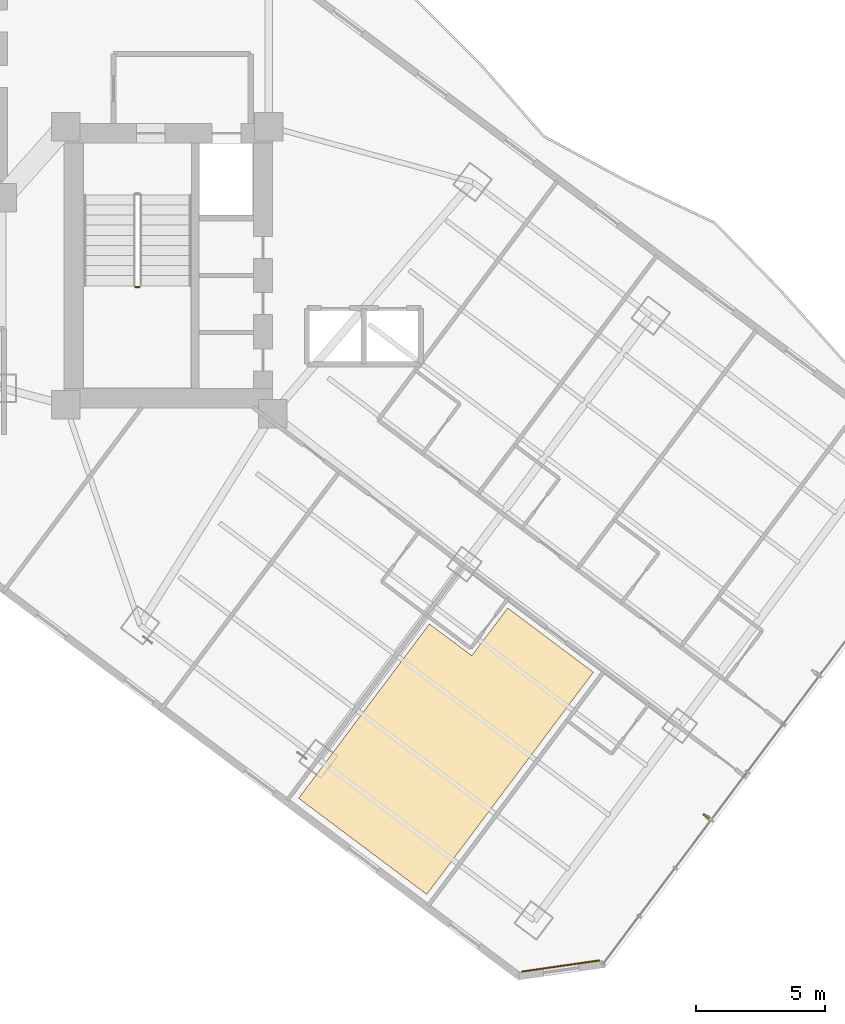
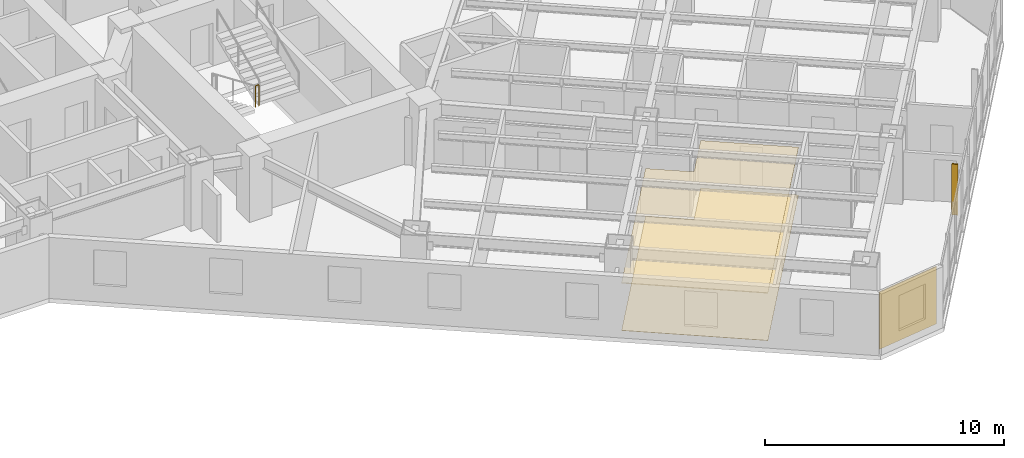
# One storey, part 32 of 37: 3 coverings, 1 railing, 1 shading device.
"""IFC4 building model written with IfcOpenShell, lengths in metres."""

from ifc_helpers import new_model, si_unit, direction, frame, origin, origin_2d, place, context, subcontext, project, spatial, polyline, rectangle, circle, outline, extrude, material, layer, layer_set, type_object, element, save


model = new_model("IFC4")

# Units and contexts
model_context = context("Model", 3, precision=1e-05, world=origin(), true_north=direction((0.0, 1.0)))
body_context = subcontext(model_context, "Body", "Model", "MODEL_VIEW")
ifc_project = project(units=[si_unit("LENGTHUNIT", "METRE"), si_unit("AREAUNIT", "SQUARE_METRE"), si_unit("VOLUMEUNIT", "CUBIC_METRE"), si_unit("PLANEANGLEUNIT", "RADIAN"), si_unit("MASSUNIT", "GRAM", prefix="KILO")], contexts=[model_context])

# Site, building, storey
site_placement = place(None, origin())
site = spatial("IfcSite", under=ifc_project, at=site_placement, CompositionType="ELEMENT")
building_placement = place(site_placement, origin())
building = spatial("IfcBuilding", under=site, at=building_placement, Name="Hatsunagi Terrace Concourse", CompositionType="ELEMENT")
storey_placement = place(building_placement, frame((0.0, 0.0, 50.0)))
storey = spatial("IfcBuildingStorey", under=building, at=storey_placement, Name="L12", CompositionType="ELEMENT", Elevation=50.0)

# Covering
ifc_material_1 = material(Name="Hardwood timber", Category="wood")
ifc_layer_1 = layer(ifc_material_1, 0.014892578125)
ifc_layer_set_1 = layer_set([ifc_layer_1], Name="HardwoodTimberFlooring_15")
covering_type_1 = type_object("IfcCoveringType", Name="HardwoodTimberFlooring_15", PredefinedType="FLOORING", material=ifc_layer_set_1)
covering_1_placement = place(storey_placement, origin())
element("IfcCovering", 1, at=covering_1_placement, inside=storey, type_object=covering_type_1, Name="Finished Flooring L12-1", PredefinedType="FLOORING", context=body_context, shape_type="SweptSolid", body=[
    extrude(outline(polyline([(49.75, 5.64990234375), (56.181884765625, 14.22607421875), (52.8759765625, 16.705078125), (51.491943359375, 14.862060546875), (49.85302734375, 16.087890625), (44.805908203125, 9.35791015625), (49.75, 5.64990234375)])), origin(), (0.0, 0.0, 1.0), 0.014892578125),
])

# Railing
ifc_material_2 = material(Name="Stainless steel", Category="steel")
ifc_layer_2 = layer(ifc_material_2, 0.06005859375)
ifc_layer_set_2 = layer_set([ifc_layer_2], Name="StairWellGuard_Tower2000")
railing_type = type_object("IfcRailingType", Name="StairWellGuard_Tower2000", PredefinedType="BALUSTRADE", material=ifc_layer_set_2)
railing_placement = place(storey_placement, frame((38.5, 29.10009765625, 1.675048828125)))
element("IfcRailing", 2, at=railing_placement, inside=storey, type_object=railing_type, Name="L12 ST-B stair guard 2", PredefinedType="BALUSTRADE", context=body_context, shape_type="SweptSolid", body=[
    extrude(circle(Radius=0.02392578125, at=origin_2d()), frame((0.0, 0.0, 1.09619140625), z_axis=(1.0, 0.0, 0.0), x_axis=(0.0, 1.0, 0.0)), (0.0, 0.0, 1.0), 0.14990234375),
    extrude(circle(Radius=0.02099609375, at=origin_2d()), origin(), (0.0, 0.0, 1.0), 1.072021484375),
    extrude(circle(Radius=0.02099609375, at=origin_2d()), frame((0.14990234375, 0.0, 0.0)), (0.0, 0.0, 1.0), 1.072021484375),
])

# Shading device
ifc_material_3 = material(Name="Extruded Unglazed Terracotta Baguette", Category="masonry")
shading_device_type = type_object("IfcShadingDeviceType", Name="TerracottaFinScreen_260x70", PredefinedType="USERDEFINED", material=ifc_material_3)
shading_device_placement = place(storey_placement, frame((60.5400390625, 8.6689453125, 0.849853515625), z_axis=(0.0, 0.0, 1.0), x_axis=(-0.599969314634, -0.800023013105, 0.0)))
element("IfcShadingDevice", 3, at=shading_device_placement, inside=storey, type_object=shading_device_type, Name="Terracotta Baguette Fin Screen SCR-01", ObjectType="SUNSHADE", PredefinedType="USERDEFINED", context=body_context, shape_type="SweptSolid", body=[
    extrude(rectangle(XDim=0.070068359375, YDim=0.260009765625, at=origin_2d()), origin(), (0.0, 0.0, 1.0), 2.60009765625),
])

# Coverings
ifc_material_4 = material(Name="Unglazed Warm Terracotta Rainscreen Tile", Category="masonry")
ifc_layer_3 = layer(ifc_material_4, 0.044921875)
ifc_layer_set_3 = layer_set([ifc_layer_3], Name="TerracottaRainscreenCladding_45")
covering_type_2 = type_object("IfcCoveringType", Name="TerracottaRainscreenCladding_45", PredefinedType="CLADDING", material=ifc_layer_set_3)
covering_2_placement = place(storey_placement, frame((54.91796875, 2.87890625, 0.10009765625), z_axis=(0.0, 0.0, 1.0), x_axis=(-0.989973920543, -0.141250262458, 0.0)))
element("IfcCovering", 4, at=covering_2_placement, inside=storey, type_object=covering_type_2, Name="Terracotta Rainscreen Cladding L12-04", PredefinedType="CLADDING", context=body_context, shape_type="SweptSolid", body=[
    extrude(rectangle(XDim=3.0380859375, YDim=0.044921875, at=origin_2d()), origin(), (0.0, 0.0, 1.0), 2.929931640625),
])
ifc_material_5 = material(Name="Hardwood timber", Category="wood")
ifc_layer_4 = layer(ifc_material_5, 0.034912109375)
ifc_layer_set_4 = layer_set([ifc_layer_4], Name="TimberBaffleCeiling_35")
covering_type_3 = type_object("IfcCoveringType", Name="TimberBaffleCeiling_35", PredefinedType="CEILING", material=ifc_layer_set_4)
covering_3_placement = place(storey_placement, frame((0.0, 0.0, 2.419921875)))
element("IfcCovering", 5, at=covering_3_placement, inside=storey, type_object=covering_type_3, Name="Suspended Ceiling L12-1", PredefinedType="CEILING", context=body_context, shape_type="SweptSolid", body=[
    extrude(outline(polyline([(49.75, 5.64990234375), (56.181884765625, 14.22607421875), (52.8759765625, 16.705078125), (51.491943359375, 14.862060546875), (49.85302734375, 16.087890625), (44.805908203125, 9.35791015625), (49.75, 5.64990234375)])), origin(), (0.0, 0.0, 1.0), 0.03515625),
])

save(model, "model.ifc")
